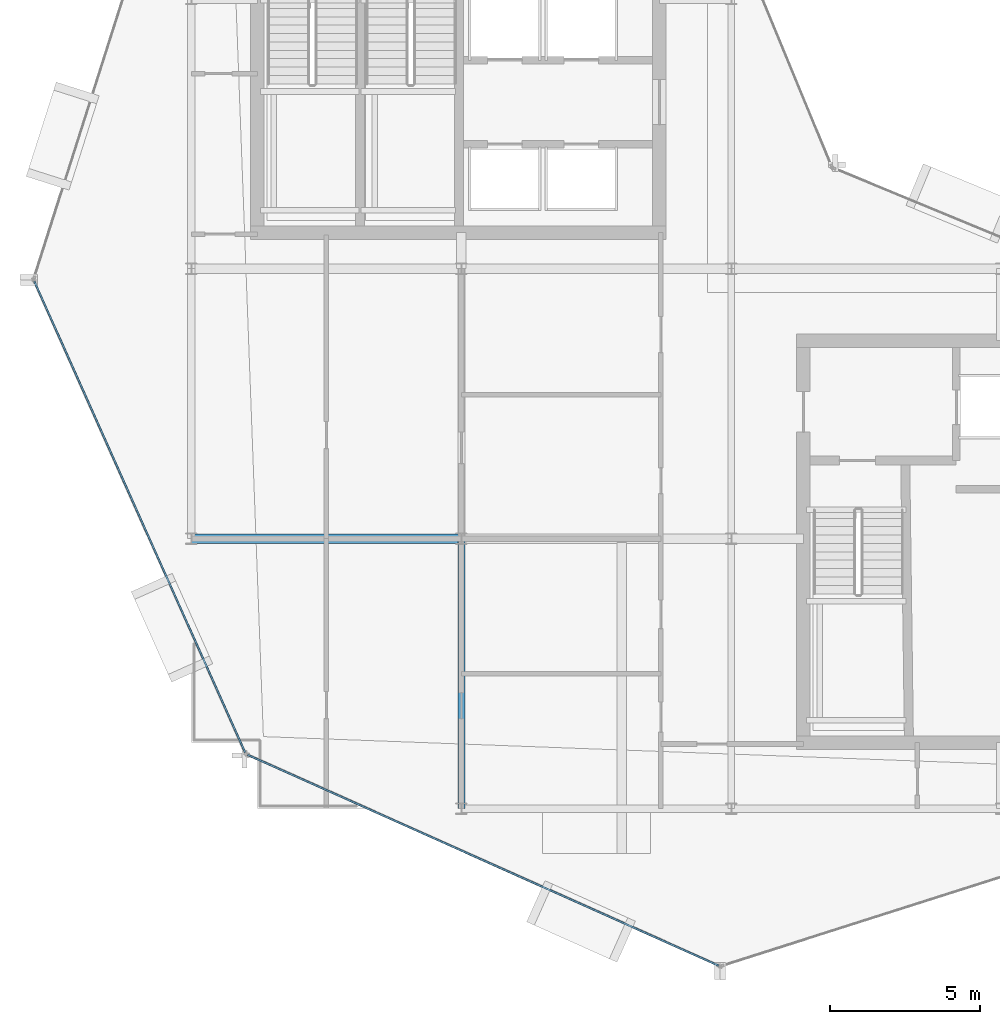
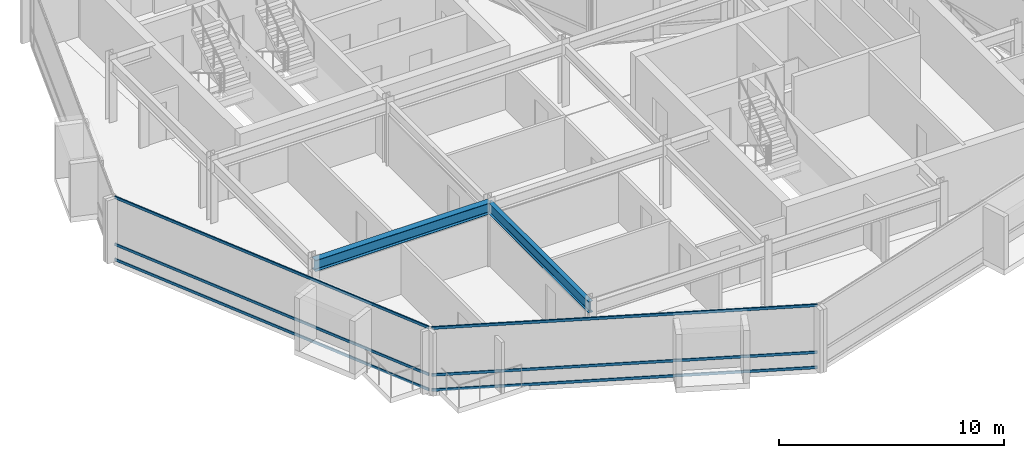
# One storey, part 3 of 19: 6 members, 2 beams, 2 elements without a shape of their own.
"""IFC4 building model written with IfcOpenShell, lengths in metres."""

from ifc_helpers import new_model, si_unit, direction, frame, origin, origin_2d, place, context, subcontext, project, spatial, hollow_rectangle, i_section, extrude, material, layer, layer_set, material_profile, profile_set, type_object, element, aggregate, save


model = new_model("IFC4")

# Units and contexts
model_context = context("Model", 3, precision=1e-05, world=origin(), true_north=direction((0.0, 1.0)))
body_context = subcontext(model_context, "Body", "Model", "MODEL_VIEW")
ifc_project = project(units=[si_unit("LENGTHUNIT", "METRE"), si_unit("AREAUNIT", "SQUARE_METRE"), si_unit("VOLUMEUNIT", "CUBIC_METRE"), si_unit("PLANEANGLEUNIT", "RADIAN"), si_unit("MASSUNIT", "GRAM", prefix="KILO")], contexts=[model_context])

# Site, building, storey
site_placement = place(None, origin())
site = spatial("IfcSite", under=ifc_project, at=site_placement, CompositionType="ELEMENT")
building_placement = place(site_placement, origin())
building = spatial("IfcBuilding", under=site, at=building_placement, Name="Solvaryn Broadcast Tower", CompositionType="ELEMENT")
storey_placement = place(building_placement, frame((0.0, 0.0, 290.0)))
storey = spatial("IfcBuildingStorey", under=building, at=storey_placement, Name="L73", CompositionType="ELEMENT", Elevation=290.0)

# Beams
ifc_material_1 = material(Name="Steel ASTM A992 Grade 50", Category="steel")
ifc_material_profile_1 = material_profile(ifc_material_1, i_section(OverallWidth=0.323974609375, OverallDepth=0.611083984375, WebThickness=0.0126953125, FlangeThickness=0.01904296875, FilletRadius=0.014892578125, at=origin_2d()))
ifc_profile_set_1 = profile_set([ifc_material_profile_1], Name="Steel ASTM A992 Grade 50")
beam_type_1 = type_object("IfcBeamType", Name="BM-B1-W24X104", PredefinedType="BEAM", material=ifc_profile_set_1)
beam_1_placement = place(storey_placement, frame((9.0, 18.0, 3.114501953125), z_axis=(1.0, 0.0, 0.0), x_axis=(0.0, 1.0, 0.0)))
element("IfcBeam", 1, at=beam_1_placement, inside=storey, type_object=beam_type_1, Name="L73 Primary Beam X (9-18 @ Y=18)", PredefinedType="BEAM", context=body_context, shape_type="SweptSolid", body=[
    extrude(i_section(OverallWidth=0.323974609375, OverallDepth=0.611083984375, WebThickness=0.0126953125, FlangeThickness=0.01904296875, FilletRadius=0.014892578125, at=origin_2d()), origin(), (0.0, 0.0, 1.0), 9.0),
])
ifc_material_2 = material(Name="Steel ASTM A992 Grade 50", Category="steel")
ifc_material_profile_2 = material_profile(ifc_material_2, i_section(OverallWidth=0.22802734375, OverallDepth=0.60791015625, WebThickness=0.01123046875, FlangeThickness=0.017333984375, FilletRadius=0.014892578125, at=origin_2d()))
ifc_profile_set_2 = profile_set([ifc_material_profile_2], Name="Steel ASTM A992 Grade 50")
beam_type_2 = type_object("IfcBeamType", Name="BM-B2-W24X76", PredefinedType="BEAM", material=ifc_profile_set_2)
beam_2_placement = place(storey_placement, frame((18.0, 9.0, 3.115966796875), z_axis=(0.0, 1.0, 0.0), x_axis=(-1.0, 0.0, 0.0)))
element("IfcBeam", 2, at=beam_2_placement, inside=storey, type_object=beam_type_2, Name="L73 Primary Beam Y (9-18 @ X=18)", PredefinedType="BEAM", context=body_context, shape_type="SweptSolid", body=[
    extrude(i_section(OverallWidth=0.22802734375, OverallDepth=0.60791015625, WebThickness=0.01123046875, FlangeThickness=0.017333984375, FilletRadius=0.014892578125, at=origin_2d()), origin(), (0.0, 0.0, 1.0), 9.0),
])

# Curtain wall, members
ifc_material_3 = material(Name="Aluminium and Terracotta Unitised Curtain Wall", Category="masonry")
ifc_layer_1 = layer(ifc_material_3, 0.239990234375)
ifc_layer_set_1 = layer_set([ifc_layer_1], Name="CW-SYS3-BAYBOX")
curtain_wall_type_1 = type_object("IfcCurtainWallType", Name="CW-SYS3-BAYBOX", PredefinedType="NOTDEFINED", material=ifc_layer_set_1)
curtain_wall_1_placement = place(storey_placement, origin())
curtain_wall_1 = element("IfcCurtainWall", 3, at=curtain_wall_1_placement, inside=storey, type_object=curtain_wall_type_1, Name="L73 Curtain Wall DR2", PredefinedType="NOTDEFINED")
ifc_material_4 = material(Name="Anodised Aluminium 6063-T6", Category="aluminium")
ifc_material_profile_3 = material_profile(ifc_material_4, hollow_rectangle(XDim=0.06494140625, YDim=0.14990234375, WallThickness=0.00390625, InnerFilletRadius=0.00390625, OuterFilletRadius=0.008056640625, at=origin_2d()))
ifc_profile_set_3 = profile_set([ifc_material_profile_3], Name="Anodised Aluminium 6063-T6")
member_type = type_object("IfcMemberType", Name="CW-TRN-150", PredefinedType="USERDEFINED", material=ifc_profile_set_3)
member_1_placement = place(storey_placement, frame((3.762451171875, 26.581298828125, 0.030029296875), z_axis=(0.408468080937, -0.912772604133, 0.0), x_axis=(0.912772604133, 0.408468080937, 0.0)))
member_1 = element("IfcMember", 4, at=member_1_placement, type_object=member_type, Name="CWS3 transom 1.1", ObjectType="TRANSOM", PredefinedType="USERDEFINED", context=body_context, shape_type="SweptSolid", body=[
    extrude(hollow_rectangle(XDim=0.06494140625, YDim=0.14990234375, WallThickness=0.00390625, InnerFilletRadius=0.00390625, OuterFilletRadius=0.008056640625, at=origin_2d()), origin(), (0.0, 0.0, 1.0), 17.210693359375),
])
member_2_placement = place(storey_placement, frame((3.762451171875, 26.581298828125, 0.85009765625), z_axis=(0.408468080937, -0.912772604133, 0.0), x_axis=(0.912772604133, 0.408468080937, 0.0)))
member_2 = element("IfcMember", 5, at=member_2_placement, type_object=member_type, Name="CWS3 transom 1.2", ObjectType="TRANSOM", PredefinedType="USERDEFINED", context=body_context, shape_type="SweptSolid", body=[
    extrude(hollow_rectangle(XDim=0.06494140625, YDim=0.14990234375, WallThickness=0.00390625, InnerFilletRadius=0.00390625, OuterFilletRadius=0.008056640625, at=origin_2d()), origin(), (0.0, 0.0, 1.0), 17.210693359375),
])
member_3_placement = place(storey_placement, frame((3.762451171875, 26.581298828125, 3.389892578125), z_axis=(0.408468080937, -0.912772604133, 0.0), x_axis=(0.912772604133, 0.408468080937, 0.0)))
member_3 = element("IfcMember", 6, at=member_3_placement, type_object=member_type, Name="CWS3 transom 1.3", ObjectType="TRANSOM", PredefinedType="USERDEFINED", context=body_context, shape_type="SweptSolid", body=[
    extrude(hollow_rectangle(XDim=0.06494140625, YDim=0.14990234375, WallThickness=0.00390625, InnerFilletRadius=0.00390625, OuterFilletRadius=0.008056640625, at=origin_2d()), origin(), (0.0, 0.0, 1.0), 17.210693359375),
])
aggregate(curtain_wall_1, [member_1, member_2, member_3])

ifc_material_5 = material(Name="Aluminium and Terracotta Unitised Curtain Wall", Category="masonry")
ifc_layer_2 = layer(ifc_material_5, 0.199951171875)
ifc_layer_set_2 = layer_set([ifc_layer_2], Name="CW-SYS2-LOWMID")
curtain_wall_type_2 = type_object("IfcCurtainWallType", Name="CW-SYS2-LOWMID", PredefinedType="NOTDEFINED", material=ifc_layer_set_2)
curtain_wall_2_placement = place(storey_placement, origin())
curtain_wall_2 = element("IfcCurtainWall", 7, at=curtain_wall_2_placement, inside=storey, type_object=curtain_wall_type_2, Name="L73 Curtain Wall DR3", PredefinedType="NOTDEFINED")
member_4_placement = place(storey_placement, frame((10.871826171875, 10.79248046875, 0.030029296875), z_axis=(0.912772604133, -0.408468080937, 0.0), x_axis=(0.408468080937, 0.912772604133, 0.0)))
member_4 = element("IfcMember", 8, at=member_4_placement, type_object=member_type, Name="CWS2 transom 1.1", ObjectType="TRANSOM", PredefinedType="USERDEFINED", context=body_context, shape_type="SweptSolid", body=[
    extrude(hollow_rectangle(XDim=0.06494140625, YDim=0.14990234375, WallThickness=0.00390625, InnerFilletRadius=0.00390625, OuterFilletRadius=0.008056640625, at=origin_2d()), origin(), (0.0, 0.0, 1.0), 17.210693359375),
])
member_5_placement = place(storey_placement, frame((10.871826171875, 10.79248046875, 0.85009765625), z_axis=(0.912772604133, -0.408468080937, 0.0), x_axis=(0.408468080937, 0.912772604133, 0.0)))
member_5 = element("IfcMember", 9, at=member_5_placement, type_object=member_type, Name="CWS2 transom 1.2", ObjectType="TRANSOM", PredefinedType="USERDEFINED", context=body_context, shape_type="SweptSolid", body=[
    extrude(hollow_rectangle(XDim=0.06494140625, YDim=0.14990234375, WallThickness=0.00390625, InnerFilletRadius=0.00390625, OuterFilletRadius=0.008056640625, at=origin_2d()), origin(), (0.0, 0.0, 1.0), 17.210693359375),
])
member_6_placement = place(storey_placement, frame((10.871826171875, 10.79248046875, 3.389892578125), z_axis=(0.912772604133, -0.408468080937, 0.0), x_axis=(0.408468080937, 0.912772604133, 0.0)))
member_6 = element("IfcMember", 10, at=member_6_placement, type_object=member_type, Name="CWS2 transom 1.3", ObjectType="TRANSOM", PredefinedType="USERDEFINED", context=body_context, shape_type="SweptSolid", body=[
    extrude(hollow_rectangle(XDim=0.06494140625, YDim=0.14990234375, WallThickness=0.00390625, InnerFilletRadius=0.00390625, OuterFilletRadius=0.008056640625, at=origin_2d()), origin(), (0.0, 0.0, 1.0), 17.210693359375),
])
aggregate(curtain_wall_2, [member_4, member_5, member_6])

save(model, "model.ifc")
